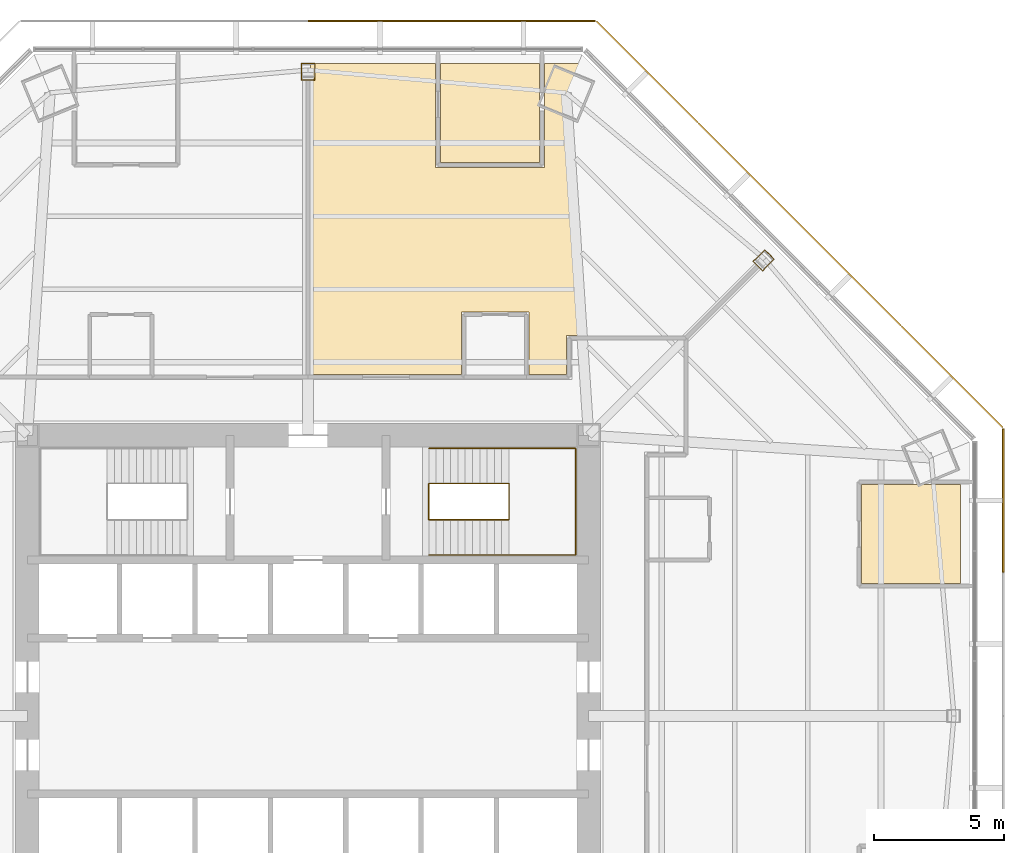
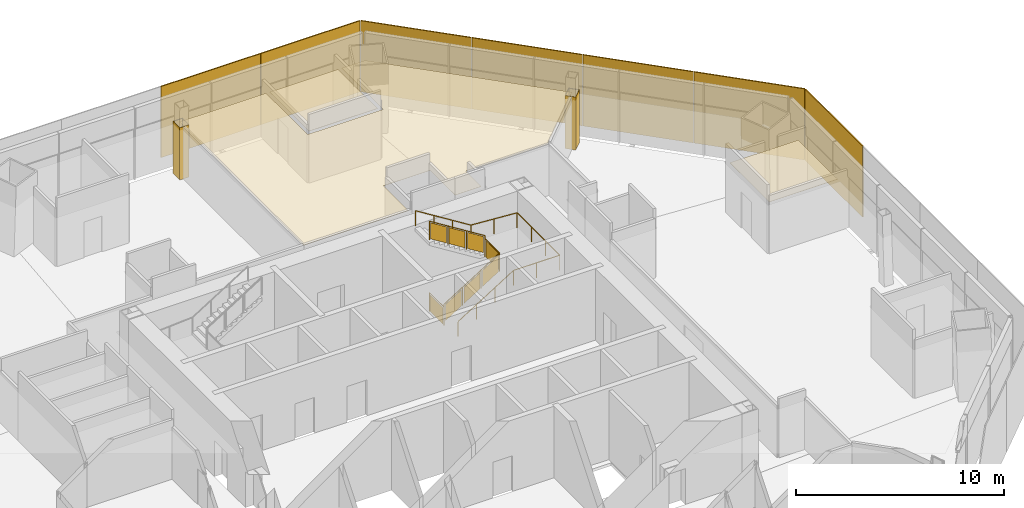
# One storey, part 17 of 18: 7 shading devices, 5 coverings, 2 railings.
"""IFC4 building model written with IfcOpenShell, lengths in metres."""

from ifc_helpers import new_model, si_unit, direction, frame, origin, origin_2d, place, context, subcontext, project, spatial, polyline, rectangle, circle, outline, extrude, source, transform, mapped, material, layer, layer_set, type_object, type_shapes, element, save


model = new_model("IFC4")

# Units and contexts
model_context = context("Model", 3, precision=1e-05, world=origin(), true_north=direction((0.0, 1.0)))
body_context = subcontext(model_context, "Body", "Model", "MODEL_VIEW")
ifc_project = project(units=[si_unit("LENGTHUNIT", "METRE"), si_unit("AREAUNIT", "SQUARE_METRE"), si_unit("VOLUMEUNIT", "CUBIC_METRE"), si_unit("PLANEANGLEUNIT", "RADIAN"), si_unit("MASSUNIT", "GRAM", prefix="KILO")], contexts=[model_context])

# Site, building, storey
site_placement = place(None, origin())
site = spatial("IfcSite", under=ifc_project, at=site_placement, CompositionType="ELEMENT")
building_placement = place(site_placement, origin())
building = spatial("IfcBuilding", under=site, at=building_placement, Name="Mashrafa Tower", CompositionType="ELEMENT")
storey_placement = place(building_placement, frame((0.0, 0.0, 83.39990234375)))
storey = spatial("IfcBuildingStorey", under=building, at=storey_placement, Name="L18", CompositionType="ELEMENT", Elevation=83.39990234375)

# Coverings
ifc_material_1 = material(Name="Gypsum board")
ifc_layer_1 = layer(ifc_material_1, 0.014892578125)
ifc_layer_set_1 = layer_set([ifc_layer_1], Name="Column casing plasterboard 15")
covering_type_1 = type_object("IfcCoveringType", Name="Column casing plasterboard 15", PredefinedType="CLADDING", material=ifc_layer_set_1)
covering_1_placement = place(storey_placement, origin())
element("IfcCovering", 1, at=covering_1_placement, inside=storey, type_object=covering_type_1, Name="Column casing L18-001", PredefinedType="CLADDING", context=body_context, shape_type="SweptSolid", body=[
    extrude(outline(polyline([(17.11669921875, 17.491455078125), (17.575439453125, 17.9501953125), (17.9501953125, 17.575439453125), (17.491455078125, 17.11669921875), (17.11669921875, 17.491455078125)]), holes=[polyline([(17.92919921875, 17.575439453125), (17.575439453125, 17.92919921875), (17.1376953125, 17.491455078125), (17.491455078125, 17.1376953125), (17.92919921875, 17.575439453125)])]), origin(), (0.0, 0.0, 1.0), 3.11328125),
])
covering_2_placement = place(storey_placement, origin())
element("IfcCovering", 2, at=covering_2_placement, inside=storey, type_object=covering_type_1, Name="Column casing L18-002", PredefinedType="CLADDING", context=body_context, shape_type="SweptSolid", body=[
    extrude(outline(polyline([(-0.264892578125, 25.12060546875), (0.264892578125, 25.12060546875), (0.264892578125, 24.471435546875), (-0.264892578125, 24.471435546875), (-0.264892578125, 25.12060546875)]), holes=[polyline([(0.25, 24.486572265625), (0.25, 25.10546875), (-0.25, 25.10546875), (-0.25, 24.486572265625), (0.25, 24.486572265625)])]), origin(), (0.0, 0.0, 1.0), 3.06494140625),
])

# Railings
ifc_material_2 = material(Name="Steel guard with glass infill", Category="steel")
railing_type_1 = type_object("IfcRailingType", Name="Stair guard 1100", PredefinedType="GUARDRAIL", material=ifc_material_2)
railing_1_placement = place(storey_placement, frame((4.64990234375, 8.949951171875, 0.0)))
element("IfcRailing", 3, at=railing_1_placement, inside=storey, type_object=railing_type_1, Name="Stair S2 guard L18", PredefinedType="GUARDRAIL", context=body_context, shape_type="SweptSolid", body=[
    extrude(circle(Radius=0.02392578125, at=origin_2d()), frame((0.0, 0.0, 1.076171875), z_axis=(0.0, -1.0, 0.0), x_axis=(1.0, 0.0, 0.0)), (0.0, 0.0, 1.0), 1.39990234375),
    extrude(circle(Radius=0.02392578125, at=origin_2d()), frame((0.0, -1.39990234375, 1.076171875), z_axis=(0.0, 0.0, 1.0), x_axis=(1.0, 0.0, 0.0)), (0.0, 0.0, 1.0), 0.175048828125),
    extrude(circle(Radius=0.02392578125, at=origin_2d()), frame((0.0, -1.39990234375, 1.2509765625), z_axis=(0.847998304005, 0.0, 0.529998940003), x_axis=(0.0, 1.0, 0.0)), (0.0, 0.0, 1.0), 3.632080078125),
    extrude(circle(Radius=0.02392578125, at=origin_2d()), frame((3.080078125, -1.39990234375, 3.17626953125), z_axis=(0.0, 1.0, 0.0), x_axis=(-1.0, 0.0, 0.0)), (0.0, 0.0, 1.0), 1.39990234375),
    extrude(circle(Radius=0.02392578125, at=origin_2d()), frame((3.080078125, 0.0, 3.17626953125), z_axis=(0.0, 0.0, 1.0), x_axis=(1.0, 0.0, 0.0)), (0.0, 0.0, 1.0), 0.175048828125),
    extrude(circle(Radius=0.02392578125, at=origin_2d()), frame((3.080078125, 0.0, 3.35107421875), z_axis=(-0.847998304005, 0.0, 0.529998940003), x_axis=(0.0, -1.0, 0.0)), (0.0, 0.0, 1.0), 3.632080078125),
    extrude(circle(Radius=0.02099609375, at=origin_2d()), origin(), (0.0, 0.0, 1.0), 1.052001953125),
    extrude(circle(Radius=0.02099609375, at=origin_2d()), frame((0.0, -1.39990234375, 0.0)), (0.0, 0.0, 1.0), 1.052001953125),
    extrude(circle(Radius=0.02099609375, at=origin_2d()), frame((0.0, -1.39990234375, 0.175048828125)), (0.0, 0.0, 1.0), 1.052001953125),
    extrude(circle(Radius=0.02099609375, at=origin_2d()), frame((1.026611328125, -1.39990234375, 0.816650390625)), (0.0, 0.0, 1.0), 1.052001953125),
    extrude(circle(Radius=0.02099609375, at=origin_2d()), frame((2.053466796875, -1.39990234375, 1.45849609375)), (0.0, 0.0, 1.0), 1.052001953125),
    extrude(circle(Radius=0.02099609375, at=origin_2d()), frame((3.080078125, -1.39990234375, 2.10009765625)), (0.0, 0.0, 1.0), 1.052001953125),
    extrude(circle(Radius=0.02099609375, at=origin_2d()), frame((3.080078125, 0.0, 2.10009765625)), (0.0, 0.0, 1.0), 1.052001953125),
    extrude(circle(Radius=0.02099609375, at=origin_2d()), frame((3.080078125, 0.0, 2.275146484375)), (0.0, 0.0, 1.0), 1.052001953125),
    extrude(circle(Radius=0.02099609375, at=origin_2d()), frame((2.053466796875, 0.0, 2.916748046875)), (0.0, 0.0, 1.0), 1.052001953125),
    extrude(circle(Radius=0.02099609375, at=origin_2d()), frame((1.026611328125, 0.0, 3.55859375)), (0.0, 0.0, 1.0), 1.052001953125),
    extrude(circle(Radius=0.02099609375, at=origin_2d()), frame((0.0, 0.0, 4.2001953125)), (0.0, 0.0, 1.0), 1.052001953125),
    extrude(outline(polyline([(0.071044921875, 0.050048828125), (1.328857421875, 0.050048828125), (1.328857421875, 1.001953125), (0.071044921875, 1.001953125), (0.071044921875, 0.050048828125)])), frame((-0.006103515625, 0.0, 0.0), z_axis=(-1.0, 0.0, 0.0), x_axis=(0.0, -1.0, 0.0)), (0.0, 0.0, 1.0), 0.011962890625),
    extrude(outline(polyline([(0.071044921875, 0.094482421875), (0.955810546875, 0.647216796875), (0.955810546875, 1.599365234375), (0.071044921875, 1.04638671875), (0.071044921875, 0.094482421875)])), frame((0.0, -1.406005859375, 0.175048828125), z_axis=(0.0, -1.0, 0.0), x_axis=(1.0, 0.0, 0.0)), (0.0, 0.0, 1.0), 0.011962890625),
    extrude(outline(polyline([(1.09765625, 0.736083984375), (1.982421875, 1.2890625), (1.982421875, 2.240966796875), (1.09765625, 1.68798828125), (1.09765625, 0.736083984375)])), frame((0.0, -1.406005859375, 0.175048828125), z_axis=(0.0, -1.0, 0.0), x_axis=(1.0, 0.0, 0.0)), (0.0, 0.0, 1.0), 0.011962890625),
    extrude(outline(polyline([(2.124267578125, 1.377685546875), (3.009033203125, 1.9306640625), (3.009033203125, 2.882568359375), (2.124267578125, 2.329833984375), (2.124267578125, 1.377685546875)])), frame((0.0, -1.406005859375, 0.175048828125), z_axis=(0.0, -1.0, 0.0), x_axis=(1.0, 0.0, 0.0)), (0.0, 0.0, 1.0), 0.011962890625),
    extrude(outline(polyline([(0.071044921875, 0.050048828125), (1.328857421875, 0.050048828125), (1.328857421875, 1.001953125), (0.071044921875, 1.001953125), (0.071044921875, 0.050048828125)])), frame((3.086181640625, -1.39990234375, 2.10009765625), z_axis=(1.0, 0.0, 0.0), x_axis=(0.0, 1.0, 0.0)), (0.0, 0.0, 1.0), 0.011962890625),
    extrude(outline(polyline([(0.071044921875, 0.094482421875), (0.955810546875, 0.647216796875), (0.955810546875, 1.599365234375), (0.071044921875, 1.04638671875), (0.071044921875, 0.094482421875)])), frame((3.080078125, 0.006103515625, 2.275146484375), z_axis=(0.0, 1.0, 0.0), x_axis=(-1.0, 0.0, 0.0)), (0.0, 0.0, 1.0), 0.011962890625),
    extrude(outline(polyline([(1.09765625, 0.736083984375), (1.982421875, 1.2890625), (1.982421875, 2.240966796875), (1.09765625, 1.68798828125), (1.09765625, 0.736083984375)])), frame((3.080078125, 0.006103515625, 2.275146484375), z_axis=(0.0, 1.0, 0.0), x_axis=(-1.0, 0.0, 0.0)), (0.0, 0.0, 1.0), 0.011962890625),
    extrude(outline(polyline([(2.124267578125, 1.377685546875), (3.009033203125, 1.9306640625), (3.009033203125, 2.882568359375), (2.124267578125, 2.329833984375), (2.124267578125, 1.377685546875)])), frame((3.080078125, 0.006103515625, 2.275146484375), z_axis=(0.0, 1.0, 0.0), x_axis=(-1.0, 0.0, 0.0)), (0.0, 0.0, 1.0), 0.011962890625),
])
ifc_material_3 = material(Name="Steel", Category="steel")
railing_type_2 = type_object("IfcRailingType", Name="Stair handrail 900", PredefinedType="HANDRAIL", material=ifc_material_3)
railing_2_placement = place(storey_placement, frame((4.64990234375, 6.199951171875, 0.175048828125)))
element("IfcRailing", 4, at=railing_2_placement, inside=storey, type_object=railing_type_2, Name="Stair S2 handrail L18", PredefinedType="HANDRAIL", context=body_context, shape_type="SweptSolid", body=[
    extrude(circle(Radius=0.02392578125, at=origin_2d()), frame((0.0, 0.0, 0.8759765625), z_axis=(0.847998304005, 0.0, 0.529998940003), x_axis=(0.0, 1.0, 0.0)), (0.0, 0.0, 1.0), 3.632080078125),
    extrude(circle(Radius=0.02392578125, at=origin_2d()), frame((3.080078125, 0.0, 2.80078125), z_axis=(1.0, 0.0, 0.0), x_axis=(0.0, 1.0, 0.0)), (0.0, 0.0, 1.0), 2.570068359375),
    extrude(circle(Radius=0.02392578125, at=origin_2d()), frame((5.650146484375, 0.0, 2.80078125), z_axis=(0.0, 1.0, 0.0), x_axis=(-1.0, 0.0, 0.0)), (0.0, 0.0, 1.0), 4.10009765625),
    extrude(circle(Radius=0.02392578125, at=origin_2d()), frame((5.650146484375, 4.10009765625, 2.80078125), z_axis=(-0.997688514158, 0.0, 0.067953136188), x_axis=(0.0, -1.0, 0.0)), (0.0, 0.0, 1.0), 2.575927734375),
    extrude(circle(Radius=0.02392578125, at=origin_2d()), frame((3.080078125, 4.10009765625, 2.97607421875), z_axis=(-0.847998304005, 0.0, 0.529998940003), x_axis=(0.0, -1.0, 0.0)), (0.0, 0.0, 1.0), 3.632080078125),
    extrude(circle(Radius=0.02099609375, at=origin_2d()), origin(), (0.0, 0.0, 1.0), 0.851806640625),
    extrude(circle(Radius=0.02099609375, at=origin_2d()), frame((1.026611328125, 0.0, 0.6416015625)), (0.0, 0.0, 1.0), 0.851806640625),
    extrude(circle(Radius=0.02099609375, at=origin_2d()), frame((2.053466796875, 0.0, 1.283447265625)), (0.0, 0.0, 1.0), 0.851806640625),
    extrude(circle(Radius=0.02099609375, at=origin_2d()), frame((3.080078125, 0.0, 1.925048828125)), (0.0, 0.0, 1.0), 0.851806640625),
    extrude(circle(Radius=0.02099609375, at=origin_2d()), frame((4.365234375, 0.0, 1.925048828125)), (0.0, 0.0, 1.0), 0.851806640625),
    extrude(circle(Radius=0.02099609375, at=origin_2d()), frame((5.650146484375, 0.0, 1.925048828125)), (0.0, 0.0, 1.0), 0.851806640625),
    extrude(circle(Radius=0.02099609375, at=origin_2d()), frame((5.650146484375, 1.36669921875, 1.925048828125)), (0.0, 0.0, 1.0), 0.851806640625),
    extrude(circle(Radius=0.02099609375, at=origin_2d()), frame((5.650146484375, 2.7333984375, 1.925048828125)), (0.0, 0.0, 1.0), 0.851806640625),
    extrude(circle(Radius=0.02099609375, at=origin_2d()), frame((5.650146484375, 4.10009765625, 1.925048828125)), (0.0, 0.0, 1.0), 0.851806640625),
    extrude(circle(Radius=0.02099609375, at=origin_2d()), frame((4.365234375, 4.10009765625, 2.0126953125)), (0.0, 0.0, 1.0), 0.851806640625),
    extrude(circle(Radius=0.02099609375, at=origin_2d()), frame((3.080078125, 4.10009765625, 2.10009765625)), (0.0, 0.0, 1.0), 0.851806640625),
    extrude(circle(Radius=0.02099609375, at=origin_2d()), frame((2.053466796875, 4.10009765625, 2.74169921875)), (0.0, 0.0, 1.0), 0.851806640625),
    extrude(circle(Radius=0.02099609375, at=origin_2d()), frame((1.026611328125, 4.10009765625, 3.383544921875)), (0.0, 0.0, 1.0), 0.851806640625),
    extrude(circle(Radius=0.02099609375, at=origin_2d()), frame((0.0, 4.10009765625, 4.025146484375)), (0.0, 0.0, 1.0), 0.851806640625),
])

# Coverings
ifc_material_4 = material(Name="Mineral fibre tile on suspension grid")
ifc_layer_2 = layer(ifc_material_4, 0.014892578125)
ifc_layer_set_2 = layer_set([ifc_layer_2], Name="Suspended ceiling mineral tile 15")
covering_type_2 = type_object("IfcCoveringType", Name="Suspended ceiling mineral tile 15", PredefinedType="CEILING", material=ifc_layer_set_2)
covering_3_placement = place(storey_placement, frame((0.0, 0.0, 2.900146484375)))
element("IfcCovering", 5, at=covering_3_placement, inside=storey, type_object=covering_type_2, Name="Ceiling Manager's Office 18-NE", PredefinedType="CEILING", context=body_context, shape_type="SweptSolid", body=[
    extrude(outline(polyline([(5.10009765625, 25.10546875), (8.89990234375, 25.10546875), (8.89990234375, 21.305419921875), (5.10009765625, 21.305419921875), (5.10009765625, 25.10546875)])), origin(), (0.0, 0.0, 1.0), 0.014892578125),
])
covering_4_placement = place(storey_placement, frame((0.0, 0.0, 2.900146484375)))
element("IfcCovering", 6, at=covering_4_placement, inside=storey, type_object=covering_type_2, Name="Ceiling Meeting Room 18-E", PredefinedType="CEILING", context=body_context, shape_type="SweptSolid", body=[
    extrude(outline(polyline([(21.305419921875, 8.89990234375), (25.10546875, 8.89990234375), (25.10546875, 5.10009765625), (21.305419921875, 5.10009765625), (21.305419921875, 8.89990234375)])), origin(), (0.0, 0.0, 1.0), 0.014892578125),
])
covering_5_placement = place(storey_placement, frame((0.0, 0.0, 2.900146484375)))
element("IfcCovering", 7, at=covering_5_placement, inside=storey, type_object=covering_type_2, Name="Ceiling Office Suite 18-NE", PredefinedType="CEILING", context=body_context, shape_type="SweptSolid", body=[
    extrude(outline(polyline([(0.10009765625, 25.10546875), (4.89990234375, 25.10546875), (4.89990234375, 21.10546875), (9.10009765625, 21.10546875), (9.10009765625, 25.10546875), (10.39892578125, 25.10546875), (17.681396484375, 17.822998046875), (14.508544921875, 14.64990234375), (9.949951171875, 14.64990234375), (9.949951171875, 13.14990234375), (8.5, 13.14990234375), (8.5, 15.550048828125), (5.89990234375, 15.550048828125), (5.89990234375, 13.14990234375), (0.10009765625, 13.14990234375), (0.10009765625, 25.10546875)])), origin(), (0.0, 0.0, 1.0), 0.014892578125),
])

# Shading devices
ifc_material_5 = material(Name="Perforated aluminium plate, eight-point star pattern", Category="aluminium")
ifc_layer_3 = layer(ifc_material_5, 0.06005859375)
ifc_layer_set_3 = layer_set([ifc_layer_3], Name="Mashrabiya screen panel office zone 1, 45 percent open")
shading_device_type = type_object("IfcShadingDeviceType", Name="Mashrabiya screen panel office zone 1, 45 percent open", PredefinedType="SHUTTER", material=ifc_layer_set_3)
shared_shape = source(origin(), body_context, "Body", "SweptSolid", [
    extrude(rectangle(XDim=5.510009765625, YDim=0.06005859375, at=origin_2d()), origin(), (0.0, 0.0, 1.0), 4.179931640625),
])
type_shapes(shading_device_type, [shared_shape])
for number, where, z_axis, x_axis, name in (
    (8, (26.75537109375, 8.294921875, -0.14990234375), (0.0, 0.0, 1.0), (0.0, 1.0, 0.0), "Mashrabiya screen L18 east 4"),
    (9, (24.784423828125, 13.053466796875, -0.14990234375), (0.0, 0.0, 1.0), (-0.707106781187, 0.707106781187, 0.0), "Mashrabiya screen L18 north-east 1"),
    (10, (20.8740234375, 16.9638671875, -0.14990234375), (0.0, 0.0, 1.0), (-0.707106781187, 0.707106781187, 0.0), "Mashrabiya screen L18 north-east 2"),
    (11, (16.9638671875, 20.8740234375, -0.14990234375), (0.0, 0.0, 1.0), (-0.707106781187, 0.707106781187, 0.0), "Mashrabiya screen L18 north-east 3"),
    (12, (13.053466796875, 24.784423828125, -0.14990234375), (0.0, 0.0, 1.0), (-0.707106781187, 0.707106781187, 0.0), "Mashrabiya screen L18 north-east 4"),
    (13, (8.294921875, 26.75537109375, -0.14990234375), (0.0, 0.0, 1.0), (-1.0, 0.0, 0.0), "Mashrabiya screen L18 north 1"),
    (14, (2.764892578125, 26.75537109375, -0.14990234375), (0.0, 0.0, 1.0), (-1.0, 0.0, 0.0), "Mashrabiya screen L18 north 2"),
):
    element("IfcShadingDevice", number, at=place(storey_placement, frame(where, z_axis=z_axis, x_axis=x_axis)), inside=storey, type_object=shading_device_type, Name=name, PredefinedType="SHUTTER", context=body_context, shape_type="MappedRepresentation", body=[
        mapped(shared_shape, transform((0.0, 0.0, 0.0))),
    ])

save(model, "model.ifc")
